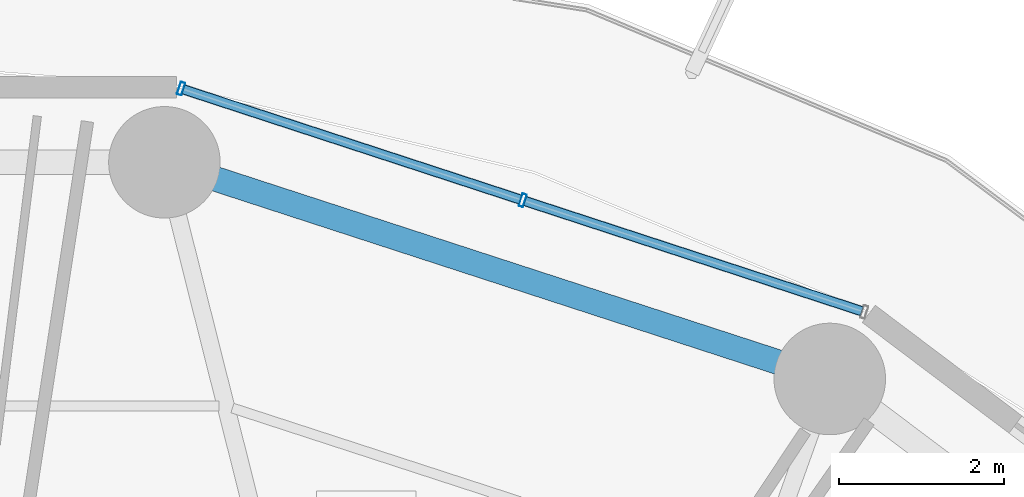
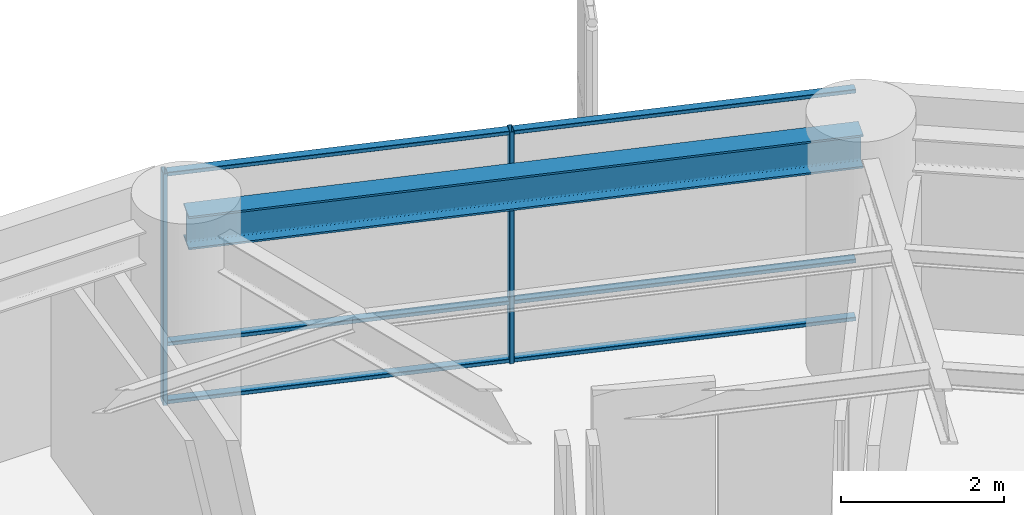
# One storey, part 21 of 33: 8 members, 1 beam, 1 element without a shape of its own.
"""IFC4 building model written with IfcOpenShell, lengths in metres."""

from ifc_helpers import new_model, si_unit, direction, frame, origin, origin_2d, place, context, subcontext, project, spatial, hollow_rectangle, i_section, extrude, material, layer, layer_set, material_profile, profile_set, type_object, element, aggregate, save


model = new_model("IFC4")

# Units and contexts
model_context = context("Model", 3, precision=1e-05, world=origin(), true_north=direction((0.0, 1.0)))
body_context = subcontext(model_context, "Body", "Model", "MODEL_VIEW")
ifc_project = project(units=[si_unit("LENGTHUNIT", "METRE"), si_unit("AREAUNIT", "SQUARE_METRE"), si_unit("VOLUMEUNIT", "CUBIC_METRE"), si_unit("PLANEANGLEUNIT", "RADIAN"), si_unit("MASSUNIT", "GRAM", prefix="KILO")], contexts=[model_context])

# Site, building, storey
site_placement = place(None, origin())
site = spatial("IfcSite", under=ifc_project, at=site_placement, CompositionType="ELEMENT")
building_placement = place(site_placement, origin())
building = spatial("IfcBuilding", under=site, at=building_placement, Name="Kelanora Arch Commons", CompositionType="ELEMENT")
storey_placement = place(building_placement, frame((0.0, 0.0, 80.10009765625)))
storey = spatial("IfcBuildingStorey", under=building, at=storey_placement, Name="L20", CompositionType="ELEMENT", Elevation=80.10009765625)

# Beam
ifc_material_1 = material(Name="Steel S355", Category="steel")
ifc_material_profile_1 = material_profile(ifc_material_1, i_section(OverallWidth=0.300048828125, OverallDepth=0.5, WebThickness=0.014404296875, FlangeThickness=0.028076171875, FilletRadius=0.027099609375, at=origin_2d()), Name="HEB500")
ifc_profile_set_1 = profile_set([ifc_material_profile_1], Name="Steel S355")
beam_type = type_object("IfcBeamType", Name="BM-SPN-Z2", PredefinedType="SPANDREL", material=ifc_profile_set_1)
beam_placement = place(storey_placement, frame((86.340087890625, 77.121826171875, 3.239990234375), z_axis=(-0.950856631974, 0.309631499418, 0.0), x_axis=(-0.309631499418, -0.950856631974, 0.0)))
element("IfcBeam", 1, at=beam_placement, inside=storey, type_object=beam_type, Name="Perimeter Spandrel Beam BS-06 L20", PredefinedType="SPANDREL", context=body_context, shape_type="SweptSolid", body=[
    extrude(i_section(OverallWidth=0.300048828125, OverallDepth=0.5, WebThickness=0.014404296875, FlangeThickness=0.028076171875, FilletRadius=0.027099609375, at=origin_2d()), origin(), (0.0, 0.0, 1.0), 8.470703125),
])

# Curtain wall, members
ifc_material_2 = material(Name="Terracotta ceramic-fritted low-E glass and aluminium", Category="masonry")
ifc_layer = layer(ifc_material_2, 0.159912109375)
ifc_layer_set = layer_set([ifc_layer], Name="Terracotta ceramic-fritted low-E glass and aluminium")
curtain_wall_type = type_object("IfcCurtainWallType", Name="CW-SYS-01", PredefinedType="NOTDEFINED", material=ifc_layer_set)
curtain_wall_placement = place(storey_placement, origin())
curtain_wall = element("IfcCurtainWall", 2, at=curtain_wall_placement, inside=storey, type_object=curtain_wall_type, Name="Unitised Curtain Wall L20-B03", PredefinedType="NOTDEFINED")
ifc_material_3 = material(Name="Powder-coated aluminium terracotta", Category="masonry")
ifc_material_profile_2 = material_profile(ifc_material_3, hollow_rectangle(XDim=0.159912109375, YDim=0.06005859375, WallThickness=0.0048828125, InnerFilletRadius=0.0048828125, OuterFilletRadius=0.010009765625, at=origin_2d()), Name="CWM160x60")
ifc_profile_set_2 = profile_set([ifc_material_profile_2], Name="Powder-coated aluminium terracotta")
member_type_1 = type_object("IfcMemberType", Name="CWM-STD", PredefinedType="MULLION", material=ifc_profile_set_2)
member_1_placement = place(storey_placement, frame((82.622802734375, 79.28466796875, 0.0), z_axis=(0.0, 0.0, 1.0), x_axis=(-0.31080470294, -0.950473795867, 0.0)))
member_1 = element("IfcMember", 3, at=member_1_placement, type_object=member_type_1, Name="CW-01 mullion 2", PredefinedType="MULLION", context=body_context, shape_type="SweptSolid", body=[
    extrude(hollow_rectangle(XDim=0.159912109375, YDim=0.06005859375, WallThickness=0.0048828125, InnerFilletRadius=0.0048828125, OuterFilletRadius=0.010009765625, at=origin_2d()), origin(), (0.0, 0.0, 1.0), 3.474853515625),
])
member_2_placement = place(storey_placement, frame((78.48828125, 80.636474609375, 0.0), z_axis=(0.0, 0.0, 1.0), x_axis=(-0.31080470294, -0.950473795867, 0.0)))
member_2 = element("IfcMember", 4, at=member_2_placement, type_object=member_type_1, Name="CW-01 mullion 3", PredefinedType="MULLION", context=body_context, shape_type="SweptSolid", body=[
    extrude(hollow_rectangle(XDim=0.159912109375, YDim=0.06005859375, WallThickness=0.0048828125, InnerFilletRadius=0.0048828125, OuterFilletRadius=0.010009765625, at=origin_2d()), origin(), (0.0, 0.0, 1.0), 3.474853515625),
])
ifc_material_profile_3 = material_profile(ifc_material_3, hollow_rectangle(XDim=0.1201171875, YDim=0.06005859375, WallThickness=0.0048828125, InnerFilletRadius=0.0048828125, OuterFilletRadius=0.010009765625, at=origin_2d()), Name="CWT120x60")
ifc_profile_set_3 = profile_set([ifc_material_profile_3], Name="Powder-coated aluminium terracotta")
member_type_2 = type_object("IfcMemberType", Name="CWT-STD", PredefinedType="USERDEFINED", material=ifc_profile_set_3)
member_3_placement = place(storey_placement, frame((86.728759765625, 77.94189453125, 0.02978515625), z_axis=(-0.950466230394, 0.310827838008, 0.0), x_axis=(-0.310827838008, -0.950466230394, 0.0)))
member_3 = element("IfcMember", 5, at=member_3_placement, type_object=member_type_2, Name="CW-01 transom 1.1", ObjectType="TRANSOM", PredefinedType="USERDEFINED", context=body_context, shape_type="SweptSolid", body=[
    extrude(hollow_rectangle(XDim=0.1201171875, YDim=0.06005859375, WallThickness=0.0048828125, InnerFilletRadius=0.0048828125, OuterFilletRadius=0.010009765625, at=origin_2d()), origin(), (0.0, 0.0, 1.0), 4.2900390625),
])
member_4_placement = place(storey_placement, frame((86.728759765625, 77.94189453125, 0.89990234375), z_axis=(-0.950466230394, 0.310827838008, 0.0), x_axis=(-0.310827838008, -0.950466230394, 0.0)))
member_4 = element("IfcMember", 6, at=member_4_placement, type_object=member_type_2, Name="CW-01 transom 1.2", ObjectType="TRANSOM", PredefinedType="USERDEFINED", context=body_context, shape_type="SweptSolid", body=[
    extrude(hollow_rectangle(XDim=0.1201171875, YDim=0.06005859375, WallThickness=0.0048828125, InnerFilletRadius=0.0048828125, OuterFilletRadius=0.010009765625, at=origin_2d()), origin(), (0.0, 0.0, 1.0), 4.2900390625),
])
member_5_placement = place(storey_placement, frame((86.728759765625, 77.94189453125, 3.44482421875), z_axis=(-0.950466230394, 0.310827838008, 0.0), x_axis=(-0.310827838008, -0.950466230394, 0.0)))
member_5 = element("IfcMember", 7, at=member_5_placement, type_object=member_type_2, Name="CW-01 transom 1.3", ObjectType="TRANSOM", PredefinedType="USERDEFINED", context=body_context, shape_type="SweptSolid", body=[
    extrude(hollow_rectangle(XDim=0.1201171875, YDim=0.06005859375, WallThickness=0.0048828125, InnerFilletRadius=0.0048828125, OuterFilletRadius=0.010009765625, at=origin_2d()), origin(), (0.0, 0.0, 1.0), 4.2900390625),
])
member_6_placement = place(storey_placement, frame((82.59423828125, 79.2939453125, 0.02978515625), z_axis=(-0.950477544745, 0.31079323824, 0.0), x_axis=(-0.31079323824, -0.950477544745, 0.0)))
member_6 = element("IfcMember", 8, at=member_6_placement, type_object=member_type_2, Name="CW-01 transom 2.1", ObjectType="TRANSOM", PredefinedType="USERDEFINED", context=body_context, shape_type="SweptSolid", body=[
    extrude(hollow_rectangle(XDim=0.1201171875, YDim=0.06005859375, WallThickness=0.0048828125, InnerFilletRadius=0.0048828125, OuterFilletRadius=0.010009765625, at=origin_2d()), origin(), (0.0, 0.0, 1.0), 4.289794921875),
])
member_7_placement = place(storey_placement, frame((82.59423828125, 79.2939453125, 0.89990234375), z_axis=(-0.950477544745, 0.31079323824, 0.0), x_axis=(-0.31079323824, -0.950477544745, 0.0)))
member_7 = element("IfcMember", 9, at=member_7_placement, type_object=member_type_2, Name="CW-01 transom 2.2", ObjectType="TRANSOM", PredefinedType="USERDEFINED", context=body_context, shape_type="SweptSolid", body=[
    extrude(hollow_rectangle(XDim=0.1201171875, YDim=0.06005859375, WallThickness=0.0048828125, InnerFilletRadius=0.0048828125, OuterFilletRadius=0.010009765625, at=origin_2d()), origin(), (0.0, 0.0, 1.0), 4.289794921875),
])
member_8_placement = place(storey_placement, frame((82.59423828125, 79.2939453125, 3.44482421875), z_axis=(-0.950477544745, 0.31079323824, 0.0), x_axis=(-0.31079323824, -0.950477544745, 0.0)))
member_8 = element("IfcMember", 10, at=member_8_placement, type_object=member_type_2, Name="CW-01 transom 2.3", ObjectType="TRANSOM", PredefinedType="USERDEFINED", context=body_context, shape_type="SweptSolid", body=[
    extrude(hollow_rectangle(XDim=0.1201171875, YDim=0.06005859375, WallThickness=0.0048828125, InnerFilletRadius=0.0048828125, OuterFilletRadius=0.010009765625, at=origin_2d()), origin(), (0.0, 0.0, 1.0), 4.289794921875),
])
aggregate(curtain_wall, [member_1, member_2, member_3, member_4, member_5, member_6, member_7, member_8])

save(model, "model.ifc")
